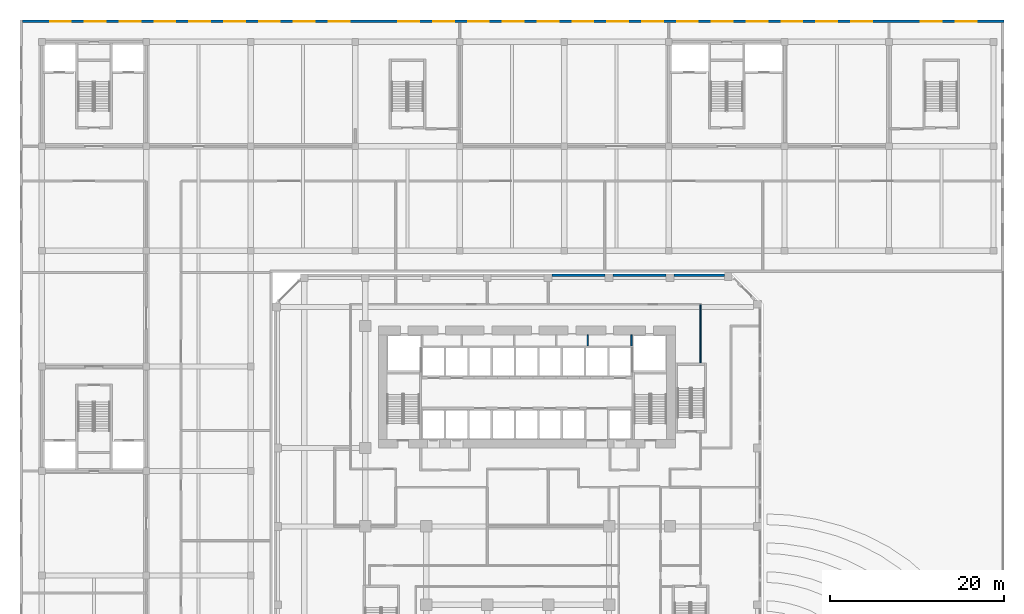
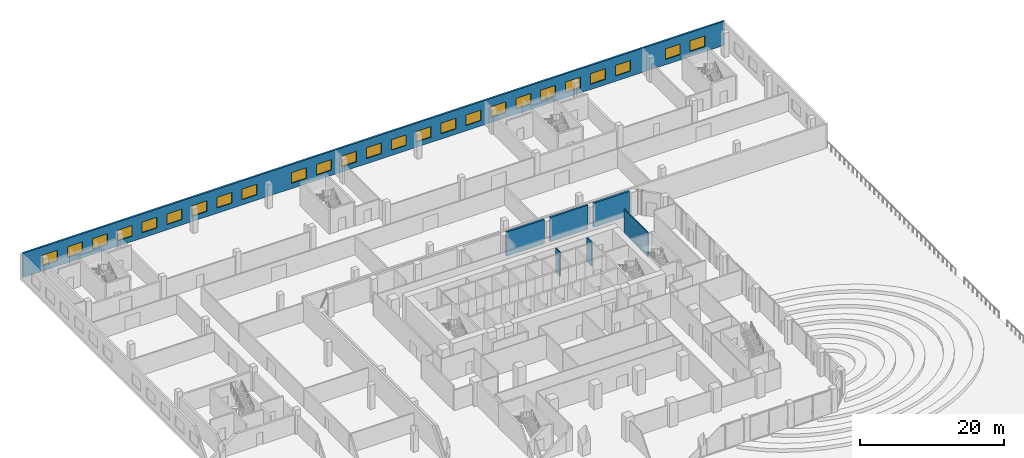
# One storey, part 28 of 38: 25 windows, 7 walls, 25 openings.
"""IFC4 building model written with IfcOpenShell, lengths in metres."""

from ifc_helpers import new_model, si_unit, direction, frame, frame_2d, origin, place, context, subcontext, project, spatial, rectangle, extrude, source, transform, mapped, material, layer, layer_set, type_object, element, fill, save


model = new_model("IFC4")

# Units and contexts
model_context = context("Model", 3, precision=1e-05, world=origin(), true_north=direction((0.0, 1.0)))
body_context = subcontext(model_context, "Body", "Model", "MODEL_VIEW")
ifc_project = project(units=[si_unit("LENGTHUNIT", "METRE"), si_unit("AREAUNIT", "SQUARE_METRE"), si_unit("VOLUMEUNIT", "CUBIC_METRE"), si_unit("PLANEANGLEUNIT", "RADIAN"), si_unit("MASSUNIT", "GRAM", prefix="KILO")], contexts=[model_context])

# Site, building, storey
site_placement = place(None, origin())
site = spatial("IfcSite", under=ifc_project, at=site_placement, CompositionType="ELEMENT")
building_placement = place(site_placement, origin())
building = spatial("IfcBuilding", under=site, at=building_placement, Name="Kilnfold Tower and Market Hall", CompositionType="ELEMENT")
storey_placement = place(building_placement, frame((0.0, 0.0, 9.0)))
storey = spatial("IfcBuildingStorey", under=building, at=storey_placement, Name="L01", CompositionType="ELEMENT", Elevation=9.0)

# Walls
ifc_material_1 = material(Name="Gypsum board on steel studs", Category="steel")
ifc_layer_1 = layer(ifc_material_1, 0.14990234375)
ifc_layer_set_1 = layer_set([ifc_layer_1], Name="Gypsum board on steel studs")
wall_type_1 = type_object("IfcWallType", Name="WALL CORRIDOR 150", PredefinedType="PARTITIONING", material=ifc_layer_set_1)
wall_1_placement = place(storey_placement, frame((21.0, 17.75, 0.0), z_axis=(0.0, 0.0, 1.0), x_axis=(0.0, 1.0, 0.0)))
element("IfcWall", 1, at=wall_1_placement, inside=storey, type_object=wall_type_1, Name="Partition LY02.37", PredefinedType="PARTITIONING", context=body_context, shape_type="SweptSolid", body=[
    extrude(rectangle(XDim=6.675048828125, YDim=0.14990234375, at=frame_2d((3.33740234375, 0.0))), origin(), (0.0, 0.0, 1.0), 4.10009765625),
])
ifc_material_2 = material(Name="Precast concrete C50/60", Category="concrete")
ifc_layer_2 = layer(ifc_material_2, 0.300048828125)
ifc_layer_set_2 = layer_set([ifc_layer_2], Name="Precast concrete C50/60")
wall_type_2 = type_object("IfcWallType", Name="PRECAST WALL 300", PredefinedType="SOLIDWALL", material=ifc_layer_set_2)
shared_shape_1 = source(origin(), body_context, "Body", "SweptSolid", [
    extrude(rectangle(XDim=5.78173828125, YDim=0.300048828125, at=frame_2d((2.890869140625, 0.0))), origin(), (0.0, 0.0, 1.0), 4.10009765625),
])
wall_2_placement = place(storey_placement, frame((23.731689453125, 27.85009765625, 0.0), z_axis=(0.0, 0.0, 1.0), x_axis=(-1.0, 0.0, 0.0)))
element("IfcWall", 2, at=wall_2_placement, inside=storey, type_object=wall_type_2, Name="Party wall L01 N", PredefinedType="SOLIDWALL", context=body_context, shape_type="MappedRepresentation", body=[
    mapped(shared_shape_1, transform((0.0, 0.0, 0.0))),
])
shared_shape_2 = source(origin(), body_context, "Body", "SweptSolid", [
    extrude(rectangle(XDim=6.10009765625, YDim=0.300048828125, at=frame_2d((3.050048828125, 0.0))), origin(), (0.0, 0.0, 1.0), 4.10009765625),
])
for number, where, z_axis, x_axis, name in (
    (3, (17.050048828125, 27.85009765625, 0.0), (0.0, 0.0, 1.0), (-1.0, 0.0, 0.0), "Party wall L01 N"),
    (4, (10.050048828125, 27.85009765625, 0.0), (0.0, 0.0, 1.0), (-1.0, 0.0, 0.0), "Party wall L01 N"),
):
    element("IfcWall", number, at=place(storey_placement, frame(where, z_axis=z_axis, x_axis=x_axis)), inside=storey, type_object=wall_type_2, Name=name, PredefinedType="SOLIDWALL", context=body_context, shape_type="MappedRepresentation", body=[
        mapped(shared_shape_2, transform((0.0, 0.0, 0.0))),
    ])

# Wall, openings, windows
ifc_material_3 = material(Name="Concrete blockwork", Category="masonry")
ifc_layer_3 = layer(ifc_material_3, 0.300048828125)
ifc_layer_set_3 = layer_set([ifc_layer_3], Name="Concrete blockwork")
wall_type_3 = type_object("IfcWallType", Name="HALL EXTERNAL WALL 300 EI 60", PredefinedType="SOLIDWALL", material=ifc_layer_set_3)
shared_shape_3 = source(origin(), body_context, "Body", "SweptSolid", [
    extrude(rectangle(XDim=112.7001953125, YDim=0.300048828125, at=frame_2d((56.35009765625, 0.0))), origin(), (0.0, 0.0, 1.0), 4.10009765625),
])
wall_3_placement = place(storey_placement, frame((-56.85009765625, 57.0, 0.0), z_axis=(0.0, 0.0, 1.0), x_axis=(1.0, 0.0, 0.0)))
wall_3 = element("IfcWall", 5, at=wall_3_placement, inside=storey, type_object=wall_type_3, Name="External wall MEW-L01.2", PredefinedType="SOLIDWALL", context=body_context, shape_type="MappedRepresentation", body=[
    mapped(shared_shape_3, transform((0.0, 0.0, 0.0))),
])
opening_1_placement = place(wall_3_placement, frame((3.14990234375, 0.0, 0.89990234375)))
opening_1 = element("IfcOpeningElement", 6, at=opening_1_placement, cuts=wall_3, Name="Opening MEN3", PredefinedType="OPENING", context=body_context, shape_type="SweptSolid", body=[
    extrude(rectangle(XDim=2.39990234375, YDim=1.800048828125, at=frame_2d((1.199951171875, 0.89990234375))), frame((0.0, 0.16015625, 0.0), z_axis=(0.0, -1.0, 0.0), x_axis=(1.0, 0.0, 0.0)), (0.0, 0.0, 1.0), 0.320068359375),
])
opening_2_placement = place(wall_3_placement, frame((7.14990234375, 0.0, 0.89990234375)))
opening_2 = element("IfcOpeningElement", 7, at=opening_2_placement, cuts=wall_3, Name="Opening MEN3", PredefinedType="OPENING", context=body_context, shape_type="SweptSolid", body=[
    extrude(rectangle(XDim=2.39990234375, YDim=1.800048828125, at=frame_2d((1.199951171875, 0.89990234375))), frame((0.0, 0.16015625, 0.0), z_axis=(0.0, -1.0, 0.0), x_axis=(1.0, 0.0, 0.0)), (0.0, 0.0, 1.0), 0.320068359375),
])
opening_3_placement = place(wall_3_placement, frame((11.14990234375, 0.0, 0.89990234375)))
opening_3 = element("IfcOpeningElement", 8, at=opening_3_placement, cuts=wall_3, Name="Opening MEN3", PredefinedType="OPENING", context=body_context, shape_type="SweptSolid", body=[
    extrude(rectangle(XDim=2.39990234375, YDim=1.800048828125, at=frame_2d((1.199951171875, 0.89990234375))), frame((0.0, 0.16015625, 0.0), z_axis=(0.0, -1.0, 0.0), x_axis=(1.0, 0.0, 0.0)), (0.0, 0.0, 1.0), 0.320068359375),
])
opening_4_placement = place(wall_3_placement, frame((15.14990234375, 0.0, 0.89990234375)))
opening_4 = element("IfcOpeningElement", 9, at=opening_4_placement, cuts=wall_3, Name="Opening MEN3", PredefinedType="OPENING", context=body_context, shape_type="SweptSolid", body=[
    extrude(rectangle(XDim=2.39990234375, YDim=1.800048828125, at=frame_2d((1.199951171875, 0.89990234375))), frame((0.0, 0.16015625, 0.0), z_axis=(0.0, -1.0, 0.0), x_axis=(1.0, 0.0, 0.0)), (0.0, 0.0, 1.0), 0.320068359375),
])
opening_5_placement = place(wall_3_placement, frame((19.14990234375, 0.0, 0.89990234375)))
opening_5 = element("IfcOpeningElement", 10, at=opening_5_placement, cuts=wall_3, Name="Opening MEN3", PredefinedType="OPENING", context=body_context, shape_type="SweptSolid", body=[
    extrude(rectangle(XDim=2.39990234375, YDim=1.800048828125, at=frame_2d((1.199951171875, 0.89990234375))), frame((0.0, 0.16015625, 0.0), z_axis=(0.0, -1.0, 0.0), x_axis=(1.0, 0.0, 0.0)), (0.0, 0.0, 1.0), 0.320068359375),
])
opening_6_placement = place(wall_3_placement, frame((23.14990234375, 0.0, 0.89990234375)))
opening_6 = element("IfcOpeningElement", 11, at=opening_6_placement, cuts=wall_3, Name="Opening MEN3", PredefinedType="OPENING", context=body_context, shape_type="SweptSolid", body=[
    extrude(rectangle(XDim=2.39990234375, YDim=1.800048828125, at=frame_2d((1.199951171875, 0.89990234375))), frame((0.0, 0.16015625, 0.0), z_axis=(0.0, -1.0, 0.0), x_axis=(1.0, 0.0, 0.0)), (0.0, 0.0, 1.0), 0.320068359375),
])
opening_7_placement = place(wall_3_placement, frame((27.14990234375, 0.0, 0.89990234375)))
opening_7 = element("IfcOpeningElement", 12, at=opening_7_placement, cuts=wall_3, Name="Opening MEN3", PredefinedType="OPENING", context=body_context, shape_type="SweptSolid", body=[
    extrude(rectangle(XDim=2.39990234375, YDim=1.800048828125, at=frame_2d((1.199951171875, 0.89990234375))), frame((0.0, 0.16015625, 0.0), z_axis=(0.0, -1.0, 0.0), x_axis=(1.0, 0.0, 0.0)), (0.0, 0.0, 1.0), 0.320068359375),
])
opening_8_placement = place(wall_3_placement, frame((31.14990234375, 0.0, 0.89990234375)))
opening_8 = element("IfcOpeningElement", 13, at=opening_8_placement, cuts=wall_3, Name="Opening MEN3", PredefinedType="OPENING", context=body_context, shape_type="SweptSolid", body=[
    extrude(rectangle(XDim=2.39990234375, YDim=1.800048828125, at=frame_2d((1.199951171875, 0.89990234375))), frame((0.0, 0.16015625, 0.0), z_axis=(0.0, -1.0, 0.0), x_axis=(1.0, 0.0, 0.0)), (0.0, 0.0, 1.0), 0.320068359375),
])
opening_9_placement = place(wall_3_placement, frame((35.14990234375, 0.0, 0.89990234375)))
opening_9 = element("IfcOpeningElement", 14, at=opening_9_placement, cuts=wall_3, Name="Opening MEN3", PredefinedType="OPENING", context=body_context, shape_type="SweptSolid", body=[
    extrude(rectangle(XDim=2.39990234375, YDim=1.800048828125, at=frame_2d((1.199951171875, 0.89990234375))), frame((0.0, 0.16015625, 0.0), z_axis=(0.0, -1.0, 0.0), x_axis=(1.0, 0.0, 0.0)), (0.0, 0.0, 1.0), 0.320068359375),
])
opening_10_placement = place(wall_3_placement, frame((43.14990234375, 0.0, 0.89990234375)))
opening_10 = element("IfcOpeningElement", 15, at=opening_10_placement, cuts=wall_3, Name="Opening MEN3", PredefinedType="OPENING", context=body_context, shape_type="SweptSolid", body=[
    extrude(rectangle(XDim=2.39990234375, YDim=1.800048828125, at=frame_2d((1.199951171875, 0.89990234375))), frame((0.0, 0.16015625, 0.0), z_axis=(0.0, -1.0, 0.0), x_axis=(1.0, 0.0, 0.0)), (0.0, 0.0, 1.0), 0.320068359375),
])
opening_11_placement = place(wall_3_placement, frame((47.14990234375, 0.0, 0.89990234375)))
opening_11 = element("IfcOpeningElement", 16, at=opening_11_placement, cuts=wall_3, Name="Opening MEN3", PredefinedType="OPENING", context=body_context, shape_type="SweptSolid", body=[
    extrude(rectangle(XDim=2.39990234375, YDim=1.800048828125, at=frame_2d((1.199951171875, 0.89990234375))), frame((0.0, 0.16015625, 0.0), z_axis=(0.0, -1.0, 0.0), x_axis=(1.0, 0.0, 0.0)), (0.0, 0.0, 1.0), 0.320068359375),
])
opening_12_placement = place(wall_3_placement, frame((51.14990234375, 0.0, 0.89990234375)))
opening_12 = element("IfcOpeningElement", 17, at=opening_12_placement, cuts=wall_3, Name="Opening MEN3", PredefinedType="OPENING", context=body_context, shape_type="SweptSolid", body=[
    extrude(rectangle(XDim=2.39990234375, YDim=1.800048828125, at=frame_2d((1.199951171875, 0.89990234375))), frame((0.0, 0.16015625, 0.0), z_axis=(0.0, -1.0, 0.0), x_axis=(1.0, 0.0, 0.0)), (0.0, 0.0, 1.0), 0.320068359375),
])
opening_13_placement = place(wall_3_placement, frame((55.14990234375, 0.0, 0.89990234375)))
opening_13 = element("IfcOpeningElement", 18, at=opening_13_placement, cuts=wall_3, Name="Opening MEN3", PredefinedType="OPENING", context=body_context, shape_type="SweptSolid", body=[
    extrude(rectangle(XDim=2.39990234375, YDim=1.800048828125, at=frame_2d((1.199951171875, 0.89990234375))), frame((0.0, 0.16015625, 0.0), z_axis=(0.0, -1.0, 0.0), x_axis=(1.0, 0.0, 0.0)), (0.0, 0.0, 1.0), 0.320068359375),
])
opening_14_placement = place(wall_3_placement, frame((59.14990234375, 0.0, 0.89990234375)))
opening_14 = element("IfcOpeningElement", 19, at=opening_14_placement, cuts=wall_3, Name="Opening MEN3", PredefinedType="OPENING", context=body_context, shape_type="SweptSolid", body=[
    extrude(rectangle(XDim=2.39990234375, YDim=1.800048828125, at=frame_2d((1.199951171875, 0.89990234375))), frame((0.0, 0.16015625, 0.0), z_axis=(0.0, -1.0, 0.0), x_axis=(1.0, 0.0, 0.0)), (0.0, 0.0, 1.0), 0.320068359375),
])
opening_15_placement = place(wall_3_placement, frame((63.14990234375, 0.0, 0.89990234375)))
opening_15 = element("IfcOpeningElement", 20, at=opening_15_placement, cuts=wall_3, Name="Opening MEN3", PredefinedType="OPENING", context=body_context, shape_type="SweptSolid", body=[
    extrude(rectangle(XDim=2.39990234375, YDim=1.800048828125, at=frame_2d((1.199951171875, 0.89990234375))), frame((0.0, 0.16015625, 0.0), z_axis=(0.0, -1.0, 0.0), x_axis=(1.0, 0.0, 0.0)), (0.0, 0.0, 1.0), 0.320068359375),
])
opening_16_placement = place(wall_3_placement, frame((67.14990234375, 0.0, 0.89990234375)))
opening_16 = element("IfcOpeningElement", 21, at=opening_16_placement, cuts=wall_3, Name="Opening MEN3", PredefinedType="OPENING", context=body_context, shape_type="SweptSolid", body=[
    extrude(rectangle(XDim=2.39990234375, YDim=1.800048828125, at=frame_2d((1.199951171875, 0.89990234375))), frame((0.0, 0.16015625, 0.0), z_axis=(0.0, -1.0, 0.0), x_axis=(1.0, 0.0, 0.0)), (0.0, 0.0, 1.0), 0.320068359375),
])
opening_17_placement = place(wall_3_placement, frame((71.14990234375, 0.0, 0.89990234375)))
opening_17 = element("IfcOpeningElement", 22, at=opening_17_placement, cuts=wall_3, Name="Opening MEN3", PredefinedType="OPENING", context=body_context, shape_type="SweptSolid", body=[
    extrude(rectangle(XDim=2.39990234375, YDim=1.800048828125, at=frame_2d((1.199951171875, 0.89990234375))), frame((0.0, 0.16015625, 0.0), z_axis=(0.0, -1.0, 0.0), x_axis=(1.0, 0.0, 0.0)), (0.0, 0.0, 1.0), 0.320068359375),
])
opening_18_placement = place(wall_3_placement, frame((75.14990234375, 0.0, 0.89990234375)))
opening_18 = element("IfcOpeningElement", 23, at=opening_18_placement, cuts=wall_3, Name="Opening MEN3", PredefinedType="OPENING", context=body_context, shape_type="SweptSolid", body=[
    extrude(rectangle(XDim=2.39990234375, YDim=1.800048828125, at=frame_2d((1.199951171875, 0.89990234375))), frame((0.0, 0.16015625, 0.0), z_axis=(0.0, -1.0, 0.0), x_axis=(1.0, 0.0, 0.0)), (0.0, 0.0, 1.0), 0.320068359375),
])
opening_19_placement = place(wall_3_placement, frame((79.14990234375, 0.0, 0.89990234375)))
opening_19 = element("IfcOpeningElement", 24, at=opening_19_placement, cuts=wall_3, Name="Opening MEN3", PredefinedType="OPENING", context=body_context, shape_type="SweptSolid", body=[
    extrude(rectangle(XDim=2.39990234375, YDim=1.800048828125, at=frame_2d((1.199951171875, 0.89990234375))), frame((0.0, 0.16015625, 0.0), z_axis=(0.0, -1.0, 0.0), x_axis=(1.0, 0.0, 0.0)), (0.0, 0.0, 1.0), 0.320068359375),
])
opening_20_placement = place(wall_3_placement, frame((83.14990234375, 0.0, 0.89990234375)))
opening_20 = element("IfcOpeningElement", 25, at=opening_20_placement, cuts=wall_3, Name="Opening MEN3", PredefinedType="OPENING", context=body_context, shape_type="SweptSolid", body=[
    extrude(rectangle(XDim=2.39990234375, YDim=1.800048828125, at=frame_2d((1.199951171875, 0.89990234375))), frame((0.0, 0.16015625, 0.0), z_axis=(0.0, -1.0, 0.0), x_axis=(1.0, 0.0, 0.0)), (0.0, 0.0, 1.0), 0.320068359375),
])
opening_21_placement = place(wall_3_placement, frame((87.14990234375, 0.0, 0.89990234375)))
opening_21 = element("IfcOpeningElement", 26, at=opening_21_placement, cuts=wall_3, Name="Opening MEN3", PredefinedType="OPENING", context=body_context, shape_type="SweptSolid", body=[
    extrude(rectangle(XDim=2.39990234375, YDim=1.800048828125, at=frame_2d((1.199951171875, 0.89990234375))), frame((0.0, 0.16015625, 0.0), z_axis=(0.0, -1.0, 0.0), x_axis=(1.0, 0.0, 0.0)), (0.0, 0.0, 1.0), 0.320068359375),
])
opening_22_placement = place(wall_3_placement, frame((91.14990234375, 0.0, 0.89990234375)))
opening_22 = element("IfcOpeningElement", 27, at=opening_22_placement, cuts=wall_3, Name="Opening MEN3", PredefinedType="OPENING", context=body_context, shape_type="SweptSolid", body=[
    extrude(rectangle(XDim=2.39990234375, YDim=1.800048828125, at=frame_2d((1.199951171875, 0.89990234375))), frame((0.0, 0.16015625, 0.0), z_axis=(0.0, -1.0, 0.0), x_axis=(1.0, 0.0, 0.0)), (0.0, 0.0, 1.0), 0.320068359375),
])
opening_23_placement = place(wall_3_placement, frame((95.14990234375, 0.0, 0.89990234375)))
opening_23 = element("IfcOpeningElement", 28, at=opening_23_placement, cuts=wall_3, Name="Opening MEN3", PredefinedType="OPENING", context=body_context, shape_type="SweptSolid", body=[
    extrude(rectangle(XDim=2.39990234375, YDim=1.800048828125, at=frame_2d((1.199951171875, 0.89990234375))), frame((0.0, 0.16015625, 0.0), z_axis=(0.0, -1.0, 0.0), x_axis=(1.0, 0.0, 0.0)), (0.0, 0.0, 1.0), 0.320068359375),
])
opening_24_placement = place(wall_3_placement, frame((103.14990234375, 0.0, 0.89990234375)))
opening_24 = element("IfcOpeningElement", 29, at=opening_24_placement, cuts=wall_3, Name="Opening MEN3", PredefinedType="OPENING", context=body_context, shape_type="SweptSolid", body=[
    extrude(rectangle(XDim=2.39990234375, YDim=1.800048828125, at=frame_2d((1.199951171875, 0.89990234375))), frame((0.0, 0.16015625, 0.0), z_axis=(0.0, -1.0, 0.0), x_axis=(1.0, 0.0, 0.0)), (0.0, 0.0, 1.0), 0.320068359375),
])
opening_25_placement = place(wall_3_placement, frame((107.14990234375, 0.0, 0.89990234375)))
opening_25 = element("IfcOpeningElement", 30, at=opening_25_placement, cuts=wall_3, Name="Opening MEN3", PredefinedType="OPENING", context=body_context, shape_type="SweptSolid", body=[
    extrude(rectangle(XDim=2.39990234375, YDim=1.800048828125, at=frame_2d((1.199951171875, 0.89990234375))), frame((0.0, 0.16015625, 0.0), z_axis=(0.0, -1.0, 0.0), x_axis=(1.0, 0.0, 0.0)), (0.0, 0.0, 1.0), 0.320068359375),
])
ifc_material_4 = material(Name="Aluminium glazing", Category="aluminium")
window_type = type_object("IfcWindowType", Name="HALL WINDOW 2400X1800", PartitioningType="SINGLE_PANEL", PredefinedType="WINDOW", material=ifc_material_4)
window_1_placement = place(opening_1_placement, origin())
window_1 = element("IfcWindow", 31, at=window_1_placement, inside=storey, type_object=window_type, Name="Window upper", OverallHeight=1.800048828125, OverallWidth=2.39990234375, PartitioningType="SINGLE_PANEL", PredefinedType="WINDOW", context=body_context, shape_type="SweptSolid", body=[
    extrude(rectangle(XDim=2.39990234375, YDim=1.800048828125, at=frame_2d((1.199951171875, 0.89990234375))), frame((0.0, 0.030029296875, 0.0), z_axis=(0.0, -1.0, 0.0), x_axis=(1.0, 0.0, 0.0)), (0.0, 0.0, 1.0), 0.06005859375),
])
fill(opening_1, window_1)
window_2_placement = place(opening_2_placement, origin())
window_2 = element("IfcWindow", 32, at=window_2_placement, inside=storey, type_object=window_type, Name="Window upper", OverallHeight=1.800048828125, OverallWidth=2.39990234375, PartitioningType="SINGLE_PANEL", PredefinedType="WINDOW", context=body_context, shape_type="SweptSolid", body=[
    extrude(rectangle(XDim=2.39990234375, YDim=1.800048828125, at=frame_2d((1.199951171875, 0.89990234375))), frame((0.0, 0.030029296875, 0.0), z_axis=(0.0, -1.0, 0.0), x_axis=(1.0, 0.0, 0.0)), (0.0, 0.0, 1.0), 0.06005859375),
])
fill(opening_2, window_2)
window_3_placement = place(opening_3_placement, origin())
window_3 = element("IfcWindow", 33, at=window_3_placement, inside=storey, type_object=window_type, Name="Window upper", OverallHeight=1.800048828125, OverallWidth=2.39990234375, PartitioningType="SINGLE_PANEL", PredefinedType="WINDOW", context=body_context, shape_type="SweptSolid", body=[
    extrude(rectangle(XDim=2.39990234375, YDim=1.800048828125, at=frame_2d((1.199951171875, 0.89990234375))), frame((0.0, 0.030029296875, 0.0), z_axis=(0.0, -1.0, 0.0), x_axis=(1.0, 0.0, 0.0)), (0.0, 0.0, 1.0), 0.06005859375),
])
fill(opening_3, window_3)
window_4_placement = place(opening_4_placement, origin())
window_4 = element("IfcWindow", 34, at=window_4_placement, inside=storey, type_object=window_type, Name="Window upper", OverallHeight=1.800048828125, OverallWidth=2.39990234375, PartitioningType="SINGLE_PANEL", PredefinedType="WINDOW", context=body_context, shape_type="SweptSolid", body=[
    extrude(rectangle(XDim=2.39990234375, YDim=1.800048828125, at=frame_2d((1.199951171875, 0.89990234375))), frame((0.0, 0.030029296875, 0.0), z_axis=(0.0, -1.0, 0.0), x_axis=(1.0, 0.0, 0.0)), (0.0, 0.0, 1.0), 0.06005859375),
])
fill(opening_4, window_4)
window_5_placement = place(opening_5_placement, origin())
window_5 = element("IfcWindow", 35, at=window_5_placement, inside=storey, type_object=window_type, Name="Window upper", OverallHeight=1.800048828125, OverallWidth=2.39990234375, PartitioningType="SINGLE_PANEL", PredefinedType="WINDOW", context=body_context, shape_type="SweptSolid", body=[
    extrude(rectangle(XDim=2.39990234375, YDim=1.800048828125, at=frame_2d((1.199951171875, 0.89990234375))), frame((0.0, 0.030029296875, 0.0), z_axis=(0.0, -1.0, 0.0), x_axis=(1.0, 0.0, 0.0)), (0.0, 0.0, 1.0), 0.06005859375),
])
fill(opening_5, window_5)
window_6_placement = place(opening_6_placement, origin())
window_6 = element("IfcWindow", 36, at=window_6_placement, inside=storey, type_object=window_type, Name="Window upper", OverallHeight=1.800048828125, OverallWidth=2.39990234375, PartitioningType="SINGLE_PANEL", PredefinedType="WINDOW", context=body_context, shape_type="SweptSolid", body=[
    extrude(rectangle(XDim=2.39990234375, YDim=1.800048828125, at=frame_2d((1.199951171875, 0.89990234375))), frame((0.0, 0.030029296875, 0.0), z_axis=(0.0, -1.0, 0.0), x_axis=(1.0, 0.0, 0.0)), (0.0, 0.0, 1.0), 0.06005859375),
])
fill(opening_6, window_6)
window_7_placement = place(opening_7_placement, origin())
window_7 = element("IfcWindow", 37, at=window_7_placement, inside=storey, type_object=window_type, Name="Window upper", OverallHeight=1.800048828125, OverallWidth=2.39990234375, PartitioningType="SINGLE_PANEL", PredefinedType="WINDOW", context=body_context, shape_type="SweptSolid", body=[
    extrude(rectangle(XDim=2.39990234375, YDim=1.800048828125, at=frame_2d((1.199951171875, 0.89990234375))), frame((0.0, 0.030029296875, 0.0), z_axis=(0.0, -1.0, 0.0), x_axis=(1.0, 0.0, 0.0)), (0.0, 0.0, 1.0), 0.06005859375),
])
fill(opening_7, window_7)
window_8_placement = place(opening_8_placement, origin())
window_8 = element("IfcWindow", 38, at=window_8_placement, inside=storey, type_object=window_type, Name="Window upper", OverallHeight=1.800048828125, OverallWidth=2.39990234375, PartitioningType="SINGLE_PANEL", PredefinedType="WINDOW", context=body_context, shape_type="SweptSolid", body=[
    extrude(rectangle(XDim=2.39990234375, YDim=1.800048828125, at=frame_2d((1.199951171875, 0.89990234375))), frame((0.0, 0.030029296875, 0.0), z_axis=(0.0, -1.0, 0.0), x_axis=(1.0, 0.0, 0.0)), (0.0, 0.0, 1.0), 0.06005859375),
])
fill(opening_8, window_8)
window_9_placement = place(opening_9_placement, origin())
window_9 = element("IfcWindow", 39, at=window_9_placement, inside=storey, type_object=window_type, Name="Window upper", OverallHeight=1.800048828125, OverallWidth=2.39990234375, PartitioningType="SINGLE_PANEL", PredefinedType="WINDOW", context=body_context, shape_type="SweptSolid", body=[
    extrude(rectangle(XDim=2.39990234375, YDim=1.800048828125, at=frame_2d((1.199951171875, 0.89990234375))), frame((0.0, 0.030029296875, 0.0), z_axis=(0.0, -1.0, 0.0), x_axis=(1.0, 0.0, 0.0)), (0.0, 0.0, 1.0), 0.06005859375),
])
fill(opening_9, window_9)
window_10_placement = place(opening_10_placement, origin())
window_10 = element("IfcWindow", 40, at=window_10_placement, inside=storey, type_object=window_type, Name="Window upper", OverallHeight=1.800048828125, OverallWidth=2.39990234375, PartitioningType="SINGLE_PANEL", PredefinedType="WINDOW", context=body_context, shape_type="SweptSolid", body=[
    extrude(rectangle(XDim=2.39990234375, YDim=1.800048828125, at=frame_2d((1.199951171875, 0.89990234375))), frame((0.0, 0.030029296875, 0.0), z_axis=(0.0, -1.0, 0.0), x_axis=(1.0, 0.0, 0.0)), (0.0, 0.0, 1.0), 0.06005859375),
])
fill(opening_10, window_10)
window_11_placement = place(opening_11_placement, origin())
window_11 = element("IfcWindow", 41, at=window_11_placement, inside=storey, type_object=window_type, Name="Window upper", OverallHeight=1.800048828125, OverallWidth=2.39990234375, PartitioningType="SINGLE_PANEL", PredefinedType="WINDOW", context=body_context, shape_type="SweptSolid", body=[
    extrude(rectangle(XDim=2.39990234375, YDim=1.800048828125, at=frame_2d((1.199951171875, 0.89990234375))), frame((0.0, 0.030029296875, 0.0), z_axis=(0.0, -1.0, 0.0), x_axis=(1.0, 0.0, 0.0)), (0.0, 0.0, 1.0), 0.06005859375),
])
fill(opening_11, window_11)
window_12_placement = place(opening_12_placement, origin())
window_12 = element("IfcWindow", 42, at=window_12_placement, inside=storey, type_object=window_type, Name="Window upper", OverallHeight=1.800048828125, OverallWidth=2.39990234375, PartitioningType="SINGLE_PANEL", PredefinedType="WINDOW", context=body_context, shape_type="SweptSolid", body=[
    extrude(rectangle(XDim=2.39990234375, YDim=1.800048828125, at=frame_2d((1.199951171875, 0.89990234375))), frame((0.0, 0.030029296875, 0.0), z_axis=(0.0, -1.0, 0.0), x_axis=(1.0, 0.0, 0.0)), (0.0, 0.0, 1.0), 0.06005859375),
])
fill(opening_12, window_12)
window_13_placement = place(opening_13_placement, origin())
window_13 = element("IfcWindow", 43, at=window_13_placement, inside=storey, type_object=window_type, Name="Window upper", OverallHeight=1.800048828125, OverallWidth=2.39990234375, PartitioningType="SINGLE_PANEL", PredefinedType="WINDOW", context=body_context, shape_type="SweptSolid", body=[
    extrude(rectangle(XDim=2.39990234375, YDim=1.800048828125, at=frame_2d((1.199951171875, 0.89990234375))), frame((0.0, 0.030029296875, 0.0), z_axis=(0.0, -1.0, 0.0), x_axis=(1.0, 0.0, 0.0)), (0.0, 0.0, 1.0), 0.06005859375),
])
fill(opening_13, window_13)
window_14_placement = place(opening_14_placement, origin())
window_14 = element("IfcWindow", 44, at=window_14_placement, inside=storey, type_object=window_type, Name="Window upper", OverallHeight=1.800048828125, OverallWidth=2.39990234375, PartitioningType="SINGLE_PANEL", PredefinedType="WINDOW", context=body_context, shape_type="SweptSolid", body=[
    extrude(rectangle(XDim=2.39990234375, YDim=1.800048828125, at=frame_2d((1.199951171875, 0.89990234375))), frame((0.0, 0.030029296875, 0.0), z_axis=(0.0, -1.0, 0.0), x_axis=(1.0, 0.0, 0.0)), (0.0, 0.0, 1.0), 0.06005859375),
])
fill(opening_14, window_14)
window_15_placement = place(opening_15_placement, origin())
window_15 = element("IfcWindow", 45, at=window_15_placement, inside=storey, type_object=window_type, Name="Window upper", OverallHeight=1.800048828125, OverallWidth=2.39990234375, PartitioningType="SINGLE_PANEL", PredefinedType="WINDOW", context=body_context, shape_type="SweptSolid", body=[
    extrude(rectangle(XDim=2.39990234375, YDim=1.800048828125, at=frame_2d((1.199951171875, 0.89990234375))), frame((0.0, 0.030029296875, 0.0), z_axis=(0.0, -1.0, 0.0), x_axis=(1.0, 0.0, 0.0)), (0.0, 0.0, 1.0), 0.06005859375),
])
fill(opening_15, window_15)
window_16_placement = place(opening_16_placement, origin())
window_16 = element("IfcWindow", 46, at=window_16_placement, inside=storey, type_object=window_type, Name="Window upper", OverallHeight=1.800048828125, OverallWidth=2.39990234375, PartitioningType="SINGLE_PANEL", PredefinedType="WINDOW", context=body_context, shape_type="SweptSolid", body=[
    extrude(rectangle(XDim=2.39990234375, YDim=1.800048828125, at=frame_2d((1.199951171875, 0.89990234375))), frame((0.0, 0.030029296875, 0.0), z_axis=(0.0, -1.0, 0.0), x_axis=(1.0, 0.0, 0.0)), (0.0, 0.0, 1.0), 0.06005859375),
])
fill(opening_16, window_16)
window_17_placement = place(opening_17_placement, origin())
window_17 = element("IfcWindow", 47, at=window_17_placement, inside=storey, type_object=window_type, Name="Window upper", OverallHeight=1.800048828125, OverallWidth=2.39990234375, PartitioningType="SINGLE_PANEL", PredefinedType="WINDOW", context=body_context, shape_type="SweptSolid", body=[
    extrude(rectangle(XDim=2.39990234375, YDim=1.800048828125, at=frame_2d((1.199951171875, 0.89990234375))), frame((0.0, 0.030029296875, 0.0), z_axis=(0.0, -1.0, 0.0), x_axis=(1.0, 0.0, 0.0)), (0.0, 0.0, 1.0), 0.06005859375),
])
fill(opening_17, window_17)
window_18_placement = place(opening_18_placement, origin())
window_18 = element("IfcWindow", 48, at=window_18_placement, inside=storey, type_object=window_type, Name="Window upper", OverallHeight=1.800048828125, OverallWidth=2.39990234375, PartitioningType="SINGLE_PANEL", PredefinedType="WINDOW", context=body_context, shape_type="SweptSolid", body=[
    extrude(rectangle(XDim=2.39990234375, YDim=1.800048828125, at=frame_2d((1.199951171875, 0.89990234375))), frame((0.0, 0.030029296875, 0.0), z_axis=(0.0, -1.0, 0.0), x_axis=(1.0, 0.0, 0.0)), (0.0, 0.0, 1.0), 0.06005859375),
])
fill(opening_18, window_18)
window_19_placement = place(opening_19_placement, origin())
window_19 = element("IfcWindow", 49, at=window_19_placement, inside=storey, type_object=window_type, Name="Window upper", OverallHeight=1.800048828125, OverallWidth=2.39990234375, PartitioningType="SINGLE_PANEL", PredefinedType="WINDOW", context=body_context, shape_type="SweptSolid", body=[
    extrude(rectangle(XDim=2.39990234375, YDim=1.800048828125, at=frame_2d((1.199951171875, 0.89990234375))), frame((0.0, 0.030029296875, 0.0), z_axis=(0.0, -1.0, 0.0), x_axis=(1.0, 0.0, 0.0)), (0.0, 0.0, 1.0), 0.06005859375),
])
fill(opening_19, window_19)
window_20_placement = place(opening_20_placement, origin())
window_20 = element("IfcWindow", 50, at=window_20_placement, inside=storey, type_object=window_type, Name="Window upper", OverallHeight=1.800048828125, OverallWidth=2.39990234375, PartitioningType="SINGLE_PANEL", PredefinedType="WINDOW", context=body_context, shape_type="SweptSolid", body=[
    extrude(rectangle(XDim=2.39990234375, YDim=1.800048828125, at=frame_2d((1.199951171875, 0.89990234375))), frame((0.0, 0.030029296875, 0.0), z_axis=(0.0, -1.0, 0.0), x_axis=(1.0, 0.0, 0.0)), (0.0, 0.0, 1.0), 0.06005859375),
])
fill(opening_20, window_20)
window_21_placement = place(opening_21_placement, origin())
window_21 = element("IfcWindow", 51, at=window_21_placement, inside=storey, type_object=window_type, Name="Window upper", OverallHeight=1.800048828125, OverallWidth=2.39990234375, PartitioningType="SINGLE_PANEL", PredefinedType="WINDOW", context=body_context, shape_type="SweptSolid", body=[
    extrude(rectangle(XDim=2.39990234375, YDim=1.800048828125, at=frame_2d((1.199951171875, 0.89990234375))), frame((0.0, 0.030029296875, 0.0), z_axis=(0.0, -1.0, 0.0), x_axis=(1.0, 0.0, 0.0)), (0.0, 0.0, 1.0), 0.06005859375),
])
fill(opening_21, window_21)
window_22_placement = place(opening_22_placement, origin())
window_22 = element("IfcWindow", 52, at=window_22_placement, inside=storey, type_object=window_type, Name="Window upper", OverallHeight=1.800048828125, OverallWidth=2.39990234375, PartitioningType="SINGLE_PANEL", PredefinedType="WINDOW", context=body_context, shape_type="SweptSolid", body=[
    extrude(rectangle(XDim=2.39990234375, YDim=1.800048828125, at=frame_2d((1.199951171875, 0.89990234375))), frame((0.0, 0.030029296875, 0.0), z_axis=(0.0, -1.0, 0.0), x_axis=(1.0, 0.0, 0.0)), (0.0, 0.0, 1.0), 0.06005859375),
])
fill(opening_22, window_22)
window_23_placement = place(opening_23_placement, origin())
window_23 = element("IfcWindow", 53, at=window_23_placement, inside=storey, type_object=window_type, Name="Window upper", OverallHeight=1.800048828125, OverallWidth=2.39990234375, PartitioningType="SINGLE_PANEL", PredefinedType="WINDOW", context=body_context, shape_type="SweptSolid", body=[
    extrude(rectangle(XDim=2.39990234375, YDim=1.800048828125, at=frame_2d((1.199951171875, 0.89990234375))), frame((0.0, 0.030029296875, 0.0), z_axis=(0.0, -1.0, 0.0), x_axis=(1.0, 0.0, 0.0)), (0.0, 0.0, 1.0), 0.06005859375),
])
fill(opening_23, window_23)
window_24_placement = place(opening_24_placement, origin())
window_24 = element("IfcWindow", 54, at=window_24_placement, inside=storey, type_object=window_type, Name="Window upper", OverallHeight=1.800048828125, OverallWidth=2.39990234375, PartitioningType="SINGLE_PANEL", PredefinedType="WINDOW", context=body_context, shape_type="SweptSolid", body=[
    extrude(rectangle(XDim=2.39990234375, YDim=1.800048828125, at=frame_2d((1.199951171875, 0.89990234375))), frame((0.0, 0.030029296875, 0.0), z_axis=(0.0, -1.0, 0.0), x_axis=(1.0, 0.0, 0.0)), (0.0, 0.0, 1.0), 0.06005859375),
])
fill(opening_24, window_24)
window_25_placement = place(opening_25_placement, origin())
window_25 = element("IfcWindow", 55, at=window_25_placement, inside=storey, type_object=window_type, Name="Window upper", OverallHeight=1.800048828125, OverallWidth=2.39990234375, PartitioningType="SINGLE_PANEL", PredefinedType="WINDOW", context=body_context, shape_type="SweptSolid", body=[
    extrude(rectangle(XDim=2.39990234375, YDim=1.800048828125, at=frame_2d((1.199951171875, 0.89990234375))), frame((0.0, 0.030029296875, 0.0), z_axis=(0.0, -1.0, 0.0), x_axis=(1.0, 0.0, 0.0)), (0.0, 0.0, 1.0), 0.06005859375),
])
fill(opening_25, window_25)

# Walls
ifc_material_5 = material(Name="Gypsum shaft wall system")
ifc_layer_4 = layer(ifc_material_5, 0.1650390625)
ifc_layer_set_4 = layer_set([ifc_layer_4], Name="Gypsum shaft wall system")
wall_type_4 = type_object("IfcWallType", Name="SHAFT WALL 165", PredefinedType="PARTITIONING", material=ifc_layer_set_4)
shared_shape_4 = source(origin(), body_context, "Body", "SweptSolid", [
    extrude(rectangle(XDim=1.27490234375, YDim=0.1650390625, at=frame_2d((0.637451171875, 0.0))), origin(), (0.0, 0.0, 1.0), 4.10009765625),
])
wall_4_placement = place(storey_placement, frame((13.0673828125, 19.72509765625, 0.0), z_axis=(0.0, 0.0, 1.0), x_axis=(0.0, 1.0, 0.0)))
element("IfcWall", 56, at=wall_4_placement, inside=storey, type_object=wall_type_4, Name="Lift shaft wall", PredefinedType="PARTITIONING", context=body_context, shape_type="MappedRepresentation", body=[
    mapped(shared_shape_4, transform((0.0, 0.0, 0.0))),
])
ifc_material_6 = material(Name="Gypsum shaft wall system")
ifc_layer_5 = layer(ifc_material_6, 0.14990234375)
ifc_layer_set_5 = layer_set([ifc_layer_5], Name="Gypsum shaft wall system")
wall_type_5 = type_object("IfcWallType", Name="ROOM WALL 150", PredefinedType="PARTITIONING", material=ifc_layer_set_5)
shared_shape_5 = source(origin(), body_context, "Body", "SweptSolid", [
    extrude(rectangle(XDim=1.27490234375, YDim=0.14990234375, at=frame_2d((0.637451171875, 0.0))), origin(), (0.0, 0.0, 1.0), 4.10009765625),
])
wall_5_placement = place(storey_placement, frame((8.044921875, 19.72509765625, 0.0), z_axis=(0.0, 0.0, 1.0), x_axis=(0.0, 1.0, 0.0)))
element("IfcWall", 57, at=wall_5_placement, inside=storey, type_object=wall_type_5, Name="Core room wall", PredefinedType="PARTITIONING", context=body_context, shape_type="MappedRepresentation", body=[
    mapped(shared_shape_5, transform((0.0, 0.0, 0.0))),
])

save(model, "model.ifc")
